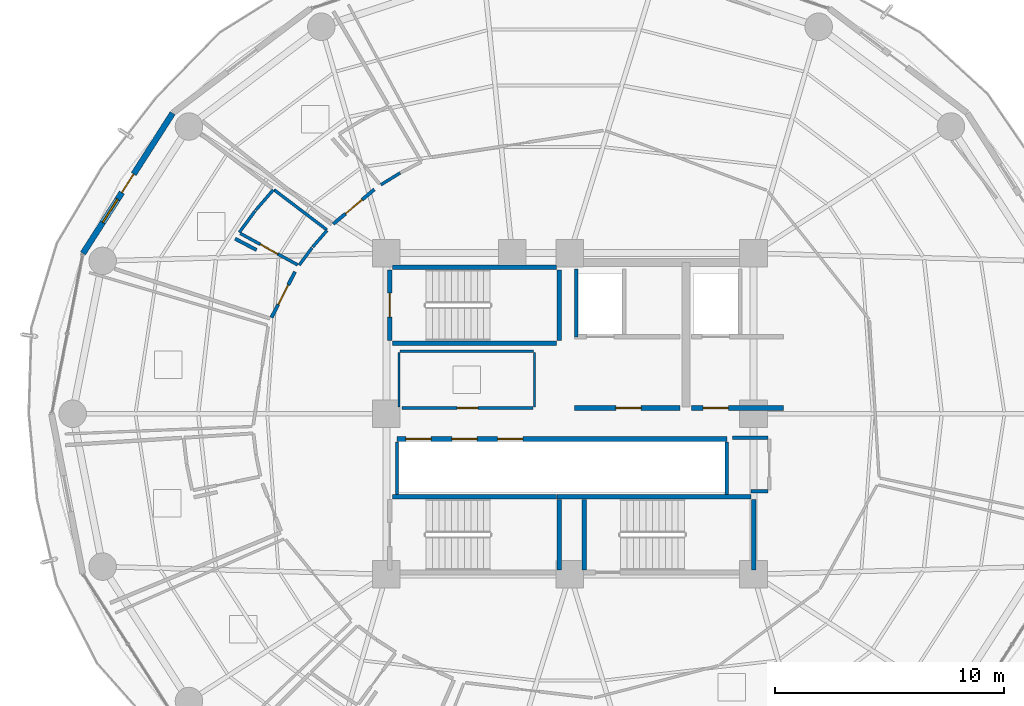
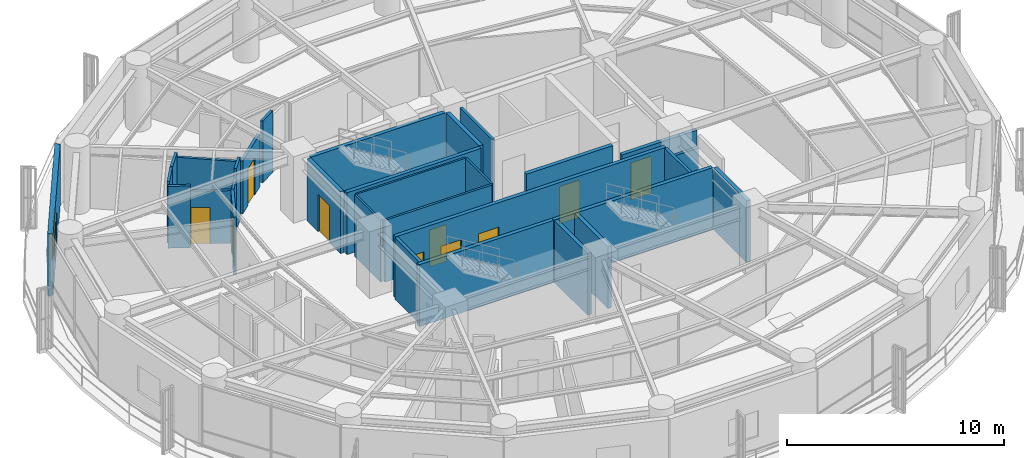
# One storey, part 22 of 27: 32 walls, 11 doors, 1 window, 12 openings.
"""IFC4 building model written with IfcOpenShell, lengths in metres."""

from ifc_helpers import new_model, si_unit, direction, frame, frame_2d, origin, place, context, subcontext, project, spatial, rectangle, extrude, material, layer, layer_set, type_object, element, fill, save


model = new_model("IFC4")

# Units and contexts
model_context = context("Model", 3, precision=1e-05, world=origin(), true_north=direction((0.0, 1.0)))
body_context = subcontext(model_context, "Body", "Model", "MODEL_VIEW")
ifc_project = project(units=[si_unit("LENGTHUNIT", "METRE"), si_unit("AREAUNIT", "SQUARE_METRE"), si_unit("VOLUMEUNIT", "CUBIC_METRE"), si_unit("PLANEANGLEUNIT", "RADIAN"), si_unit("MASSUNIT", "GRAM", prefix="KILO")], contexts=[model_context])

# Site, building, storey
site_placement = place(None, origin())
site = spatial("IfcSite", under=ifc_project, at=site_placement, CompositionType="ELEMENT")
building_placement = place(site_placement, origin())
building = spatial("IfcBuilding", under=site, at=building_placement, Name="Kelanora Arch Commons", CompositionType="ELEMENT")
storey_placement = place(building_placement, frame((0.0, 0.0, 154.35009765625)))
storey = spatial("IfcBuildingStorey", under=building, at=storey_placement, Name="L39", CompositionType="ELEMENT", Elevation=154.35009765625)

# Walls
ifc_material_1 = material(Name="Autoclaved aerated concrete blockwork with fire plaster", Category="masonry")
ifc_layer_1 = layer(ifc_material_1, 0.14990234375)
ifc_layer_set_1 = layer_set([ifc_layer_1], Name="Autoclaved aerated concrete blockwork with fire plaster")
wall_type_1 = type_object("IfcWallType", Name="W-COMP-150", PredefinedType="PARTITIONING", material=ifc_layer_set_1)
wall_1_placement = place(storey_placement, frame((74.280029296875, 61.35009765625, 0.0), z_axis=(0.0, 0.0, 1.0), x_axis=(0.0, 1.0, 0.0)))
element("IfcWall", 1, at=wall_1_placement, inside=storey, type_object=wall_type_1, Name="Firefighting Lift 1 West Shaft Wall L39", PredefinedType="PARTITIONING", context=body_context, shape_type="SweptSolid", body=[
    extrude(rectangle(XDim=2.969970703125, YDim=0.14990234375, at=frame_2d((1.48486328125, 0.0))), origin(), (0.0, 0.0, 1.0), 3.47998046875),
])
for number, where, z_axis, x_axis, name in (
    (2, (66.4599609375, 54.47998046875, 0.0), (0.0, 0.0, 1.0), (0.0, 1.0, 0.0), "South Lift Bank West Wall L39"),
    (3, (80.840087890625, 54.47998046875, 0.0), (0.0, 0.0, 1.0), (0.0, 1.0, 0.0), "South Lift Bank East Wall L39"),
):
    element("IfcWall", number, at=place(storey_placement, frame(where, z_axis=z_axis, x_axis=x_axis)), inside=storey, type_object=wall_type_1, Name=name, PredefinedType="PARTITIONING", context=body_context, shape_type="SweptSolid", body=[
        extrude(rectangle(XDim=2.2900390625, YDim=0.14990234375, at=frame_2d((1.14501953125, 0.0))), origin(), (0.0, 0.0, 1.0), 3.47998046875),
    ])

# Wall, opening, door
wall_2_placement = place(storey_placement, frame((65.47314453125, 67.7802734375, 0.0), z_axis=(0.0, 0.0, 1.0), x_axis=(-0.764572750514, -0.644537438146, 0.0)))
wall_2 = element("IfcWall", 4, at=wall_2_placement, inside=storey, type_object=wall_type_1, Name="Co-Living Studio L39-01 Entry Partition", PredefinedType="PARTITIONING", context=body_context, shape_type="SweptSolid", body=[
    extrude(rectangle(XDim=2.339111328125, YDim=0.14990234375, at=frame_2d((1.16943359375, 0.0))), origin(), (0.0, 0.0, 1.0), 2.974853515625),
])
opening_1_placement = place(wall_2_placement, frame((0.694091796875, 0.0, 0.0)))
opening_1 = element("IfcOpeningElement", 5, at=opening_1_placement, cuts=wall_2, Name="Opening D-CLU1", PredefinedType="OPENING", context=body_context, shape_type="SweptSolid", body=[
    extrude(rectangle(XDim=0.949951171875, YDim=2.080078125, at=frame_2d((0.47509765625, 1.0400390625))), frame((0.0, 0.0849609375, 0.0), z_axis=(0.0, -1.0, 0.0), x_axis=(1.0, 0.0, 0.0)), (0.0, 0.0, 1.0), 0.169921875),
])
ifc_material_2 = material(Name="Solid-core acoustic timber cluster entry fire door", Category="wood")
door_type_1 = type_object("IfcDoorType", Name="D-CLU-95", OperationType="NOTDEFINED", PredefinedType="DOOR", material=ifc_material_2)
door_1_placement = place(opening_1_placement, origin())
door_1 = element("IfcDoor", 6, at=door_1_placement, inside=storey, type_object=door_type_1, Name="Co-Living Studio L39-01 Door", OperationType="SINGLE_SWING_RIGHT", OverallHeight=2.080078125, OverallWidth=0.949951171875, PredefinedType="DOOR", context=body_context, shape_type="SweptSolid", body=[
    extrude(rectangle(XDim=0.949951171875, YDim=2.080078125, at=frame_2d((0.47509765625, 1.0400390625))), frame((0.0, 0.02490234375, 0.0), z_axis=(0.0, -1.0, 0.0), x_axis=(1.0, 0.0, 0.0)), (0.0, 0.0, 1.0), 0.050048828125),
])
fill(opening_1, door_1)

wall_3_placement = place(storey_placement, frame((62.0146484375, 64.191650390625, 0.0), z_axis=(0.0, 0.0, 1.0), x_axis=(-0.457234963971, -0.889345932538, 0.0)))
wall_3 = element("IfcWall", 7, at=wall_3_placement, inside=storey, type_object=wall_type_1, Name="Co-Living Studio L39-02 Entry Partition", PredefinedType="PARTITIONING", context=body_context, shape_type="SweptSolid", body=[
    extrude(rectangle(XDim=2.24462890625, YDim=0.14990234375, at=frame_2d((1.122314453125, 0.0))), origin(), (0.0, 0.0, 1.0), 3.23486328125),
])
opening_2_placement = place(wall_3_placement, frame((0.64697265625, 0.0, 0.0)))
opening_2 = element("IfcOpeningElement", 8, at=opening_2_placement, cuts=wall_3, Name="Opening D-CLU1", PredefinedType="OPENING", context=body_context, shape_type="SweptSolid", body=[
    extrude(rectangle(XDim=0.949951171875, YDim=2.080078125, at=frame_2d((0.47509765625, 1.0400390625))), frame((0.0, 0.0849609375, 0.0), z_axis=(0.0, -1.0, 0.0), x_axis=(1.0, 0.0, 0.0)), (0.0, 0.0, 1.0), 0.169921875),
])
door_2_placement = place(opening_2_placement, origin())
door_2 = element("IfcDoor", 9, at=door_2_placement, inside=storey, type_object=door_type_1, Name="Co-Living Studio L39-02 Door", OperationType="SINGLE_SWING_RIGHT", OverallHeight=2.080078125, OverallWidth=0.949951171875, PredefinedType="DOOR", context=body_context, shape_type="SweptSolid", body=[
    extrude(rectangle(XDim=0.949951171875, YDim=2.080078125, at=frame_2d((0.47509765625, 1.0400390625))), frame((0.0, 0.02490234375, 0.0), z_axis=(0.0, -1.0, 0.0), x_axis=(1.0, 0.0, 0.0)), (0.0, 0.0, 1.0), 0.050048828125),
])
fill(opening_2, door_2)

# Walls
wall_4_placement = place(storey_placement, frame((81.89990234375, 54.6201171875, 0.0), z_axis=(0.0, 0.0, 1.0), x_axis=(1.0, 0.0, 0.0)))
element("IfcWall", 10, at=wall_4_placement, inside=storey, type_object=wall_type_1, Name="Core Housekeeping Store L39 Enclosure Partition 1", PredefinedType="PARTITIONING", context=body_context, shape_type="SweptSolid", body=[
    extrude(rectangle(XDim=0.739990234375, YDim=0.14990234375, at=frame_2d((0.3701171875, 0.0))), origin(), (0.0, 0.0, 1.0), 2.77490234375),
])
wall_5_placement = place(storey_placement, frame((82.639892578125, 56.949951171875, 0.0), z_axis=(0.0, 0.0, 1.0), x_axis=(-1.0, 0.0, 0.0)))
element("IfcWall", 11, at=wall_5_placement, inside=storey, type_object=wall_type_1, Name="Core Housekeeping Store L39 Enclosure Partition 3", PredefinedType="PARTITIONING", context=body_context, shape_type="SweptSolid", body=[
    extrude(rectangle(XDim=1.5498046875, YDim=0.14990234375, at=frame_2d((0.77490234375, 0.0))), origin(), (0.0, 0.0, 1.0), 2.77490234375),
])
wall_6_placement = place(storey_placement, frame((59.40234375, 65.63037109375, 0.0), z_axis=(0.0, 0.0, 1.0), x_axis=(0.885450338388, -0.46473400806, 0.0)))
element("IfcWall", 12, at=wall_6_placement, inside=storey, type_object=wall_type_1, Name="Co-Living Studio L39-02 Enclosure Partition 7", PredefinedType="PARTITIONING", context=body_context, shape_type="SweptSolid", body=[
    extrude(rectangle(XDim=1.0537109375, YDim=0.14990234375, at=frame_2d((0.52685546875, 0.0))), origin(), (0.0, 0.0, 1.0), 3.47998046875),
])

# Wall, openings, door, window
ifc_material_3 = material(Name="Precast concrete C40/50 with terracotta rainscreen", Category="masonry")
ifc_layer_2 = layer(ifc_material_3, 0.260009765625)
ifc_layer_set_2 = layer_set([ifc_layer_2], Name="Precast concrete C40/50 with terracotta rainscreen")
wall_type_2 = type_object("IfcWallType", Name="W-EXT-TC", PredefinedType="SOLIDWALL", material=ifc_layer_set_2)
wall_7_placement = place(storey_placement, frame((56.67919921875, 71.100341796875, 0.0), z_axis=(0.0, 0.0, 1.0), x_axis=(-0.538801521808, -0.842432739213, 0.0)))
wall_7 = element("IfcWall", 13, at=wall_7_placement, inside=storey, type_object=wall_type_2, Name="Terracotta Exterior Wall L39-B07", PredefinedType="SOLIDWALL", context=body_context, shape_type="SweptSolid", body=[
    extrude(rectangle(XDim=7.25341796875, YDim=0.260009765625, at=frame_2d((3.626708984375, 0.0))), origin(), (0.0, 0.0, 1.0), 3.474853515625),
])
opening_3_placement = place(wall_7_placement, frame((3.152099609375, 0.0, 0.0)))
opening_3 = element("IfcOpeningElement", 14, at=opening_3_placement, cuts=wall_7, Name="Opening DB-01", PredefinedType="OPENING", context=body_context, shape_type="SweptSolid", body=[
    extrude(rectangle(XDim=0.949951171875, YDim=2.10009765625, at=frame_2d((0.47509765625, 1.050048828125))), frame((0.0, 0.14013671875, 0.0), z_axis=(0.0, -1.0, 0.0), x_axis=(1.0, 0.0, 0.0)), (0.0, 0.0, 1.0), 0.280029296875),
])
opening_4_placement = place(wall_7_placement, frame((4.451904296875, 0.0, 0.85009765625)))
opening_4 = element("IfcOpeningElement", 15, at=opening_4_placement, cuts=wall_7, Name="Opening WN-02", PredefinedType="OPENING", context=body_context, shape_type="SweptSolid", body=[
    extrude(rectangle(XDim=1.199951171875, YDim=1.449951171875, at=frame_2d((0.60009765625, 0.72509765625))), frame((0.0, 0.14013671875, 0.0), z_axis=(0.0, -1.0, 0.0), x_axis=(1.0, 0.0, 0.0)), (0.0, 0.0, 1.0), 0.280029296875),
])
ifc_material_4 = material(Name="Terracotta-aluminium thermally broken glazed balcony door", Category="masonry")
door_type_2 = type_object("IfcDoorType", Name="D-BAL-10", OperationType="NOTDEFINED", PredefinedType="DOOR", material=ifc_material_4)
door_3_placement = place(opening_3_placement, frame((0.949951171875, 0.0, 0.0), z_axis=(0.0, 0.0, 1.0), x_axis=(-1.0, 0.0, 0.0)))
door_3 = element("IfcDoor", 16, at=door_3_placement, inside=storey, type_object=door_type_2, Name="Wave Balcony Door L39-B07", OperationType="SINGLE_SWING_LEFT", OverallHeight=2.10009765625, OverallWidth=0.949951171875, PredefinedType="DOOR", context=body_context, shape_type="SweptSolid", body=[
    extrude(rectangle(XDim=0.949951171875, YDim=2.10009765625, at=frame_2d((0.47509765625, 1.050048828125))), frame((0.0, 0.02490234375, 0.0), z_axis=(0.0, -1.0, 0.0), x_axis=(1.0, 0.0, 0.0)), (0.0, 0.0, 1.0), 0.050048828125),
])
fill(opening_3, door_3)
ifc_material_5 = material(Name="Terracotta-anodised aluminium frame with operable awning sash", Category="masonry")
window_type = type_object("IfcWindowType", Name="WIN-CL-12", PartitioningType="SINGLE_PANEL", PredefinedType="WINDOW", material=ifc_material_5)
window_placement = place(opening_4_placement, origin())
window = element("IfcWindow", 17, at=window_placement, inside=storey, type_object=window_type, Name="Co-Living Operable Window L39-B07", OverallHeight=1.449951171875, OverallWidth=1.199951171875, PartitioningType="SINGLE_PANEL", PredefinedType="WINDOW", context=body_context, shape_type="SweptSolid", body=[
    extrude(rectangle(XDim=1.199951171875, YDim=1.449951171875, at=frame_2d((0.60009765625, 0.72509765625))), frame((0.0, 0.030029296875, 0.0), z_axis=(0.0, -1.0, 0.0), x_axis=(1.0, 0.0, 0.0)), (0.0, 0.0, 1.0), 0.06005859375),
])
fill(opening_4, window)

# Wall, opening, door
ifc_material_6 = material(Name="Concrete C40/50", Category="concrete")
ifc_layer_3 = layer(ifc_material_6, 0.199951171875)
ifc_layer_set_3 = layer_set([ifc_layer_3], Name="Concrete C40/50")
wall_type_3 = type_object("IfcWallType", Name="W-FFL-200", PredefinedType="SOLIDWALL", material=ifc_layer_set_3)
wall_8_placement = place(storey_placement, frame((74.199951171875, 58.25, 0.0), z_axis=(0.0, 0.0, 1.0), x_axis=(1.0, 0.0, 0.0)))
wall_8 = element("IfcWall", 18, at=wall_8_placement, inside=storey, type_object=wall_type_3, Name="Firefighting Lobby 1 Enclosure Wall L39", PredefinedType="SOLIDWALL", context=body_context, shape_type="SweptSolid", body=[
    extrude(rectangle(XDim=4.60009765625, YDim=0.199951171875, at=frame_2d((2.300048828125, 0.0))), origin(), (0.0, 0.0, 1.0), 3.47998046875),
])
opening_5_placement = place(wall_8_placement, frame((1.800048828125, 0.0, 0.0)))
opening_5 = element("IfcOpeningElement", 19, at=opening_5_placement, cuts=wall_8, Name="Opening D-FFL1", PredefinedType="OPENING", context=body_context, shape_type="SweptSolid", body=[
    extrude(rectangle(XDim=1.10009765625, YDim=2.10009765625, at=frame_2d((0.550048828125, 1.050048828125))), frame((0.0, 0.10986328125, 0.0), z_axis=(0.0, -1.0, 0.0), x_axis=(1.0, 0.0, 0.0)), (0.0, 0.0, 1.0), 0.219970703125),
])
ifc_material_7 = material(Name="Smoke-sealed firefighting lobby fire door")
door_type_3 = type_object("IfcDoorType", Name="D-FFL-110", OperationType="NOTDEFINED", PredefinedType="DOOR", material=ifc_material_7)
door_4_placement = place(opening_5_placement, frame((1.10009765625, 0.0, 0.0), z_axis=(0.0, 0.0, 1.0), x_axis=(-1.0, 0.0, 0.0)))
door_4 = element("IfcDoor", 20, at=door_4_placement, inside=storey, type_object=door_type_3, Name="Firefighting Lobby 1 Door L39", OperationType="SINGLE_SWING_LEFT", OverallHeight=2.10009765625, OverallWidth=1.10009765625, PredefinedType="DOOR", context=body_context, shape_type="SweptSolid", body=[
    extrude(rectangle(XDim=1.10009765625, YDim=2.10009765625, at=frame_2d((0.550048828125, 1.050048828125))), frame((0.0, 0.02490234375, 0.0), z_axis=(0.0, -1.0, 0.0), x_axis=(1.0, 0.0, 0.0)), (0.0, 0.0, 1.0), 0.050048828125),
])
fill(opening_5, door_4)

wall_9_placement = place(storey_placement, frame((79.300048828125, 58.25, 0.0), z_axis=(0.0, 0.0, 1.0), x_axis=(1.0, 0.0, 0.0)))
wall_9 = element("IfcWall", 21, at=wall_9_placement, inside=storey, type_object=wall_type_3, Name="Firefighting Lobby 2 Enclosure Wall L39", PredefinedType="SOLIDWALL", context=body_context, shape_type="SweptSolid", body=[
    extrude(rectangle(XDim=4.0, YDim=0.199951171875, at=frame_2d((2.0, 0.0))), origin(), (0.0, 0.0, 1.0), 2.77490234375),
])
opening_6_placement = place(wall_9_placement, frame((0.5, 0.0, 0.0)))
opening_6 = element("IfcOpeningElement", 22, at=opening_6_placement, cuts=wall_9, Name="Opening D-FFL1", PredefinedType="OPENING", context=body_context, shape_type="SweptSolid", body=[
    extrude(rectangle(XDim=1.10009765625, YDim=2.10009765625, at=frame_2d((0.550048828125, 1.050048828125))), frame((0.0, 0.10986328125, 0.0), z_axis=(0.0, -1.0, 0.0), x_axis=(1.0, 0.0, 0.0)), (0.0, 0.0, 1.0), 0.219970703125),
])
door_5_placement = place(opening_6_placement, frame((1.10009765625, 0.0, 0.0), z_axis=(0.0, 0.0, 1.0), x_axis=(-1.0, 0.0, 0.0)))
door_5 = element("IfcDoor", 23, at=door_5_placement, inside=storey, type_object=door_type_3, Name="Firefighting Lobby 2 Door L39", OperationType="SINGLE_SWING_RIGHT", OverallHeight=2.10009765625, OverallWidth=1.10009765625, PredefinedType="DOOR", context=body_context, shape_type="SweptSolid", body=[
    extrude(rectangle(XDim=1.10009765625, YDim=2.10009765625, at=frame_2d((0.550048828125, 1.050048828125))), frame((0.0, 0.02490234375, 0.0), z_axis=(0.0, -1.0, 0.0), x_axis=(1.0, 0.0, 0.0)), (0.0, 0.0, 1.0), 0.050048828125),
])
fill(opening_6, door_5)

# Wall, openings, doors
wall_10_placement = place(storey_placement, frame((66.449951171875, 56.89990234375, 0.0), z_axis=(0.0, 0.0, 1.0), x_axis=(1.0, 0.0, 0.0)))
wall_10 = element("IfcWall", 24, at=wall_10_placement, inside=storey, type_object=wall_type_3, Name="Mid/High/Express Lift Shaft Front L39", PredefinedType="SOLIDWALL", context=body_context, shape_type="SweptSolid", body=[
    extrude(rectangle(XDim=14.400146484375, YDim=0.199951171875, at=frame_2d((7.2001953125, 0.0))), origin(), (0.0, 0.0, 1.0), 3.47998046875),
])
opening_7_placement = place(wall_10_placement, frame((0.39990234375, 0.0, 0.0)))
opening_7 = element("IfcOpeningElement", 25, at=opening_7_placement, cuts=wall_10, Name="Opening LD-01", PredefinedType="OPENING", context=body_context, shape_type="SweptSolid", body=[
    extrude(rectangle(XDim=1.10009765625, YDim=2.10009765625, at=frame_2d((0.550048828125, 1.050048828125))), frame((0.0, 0.10986328125, 0.0), z_axis=(0.0, -1.0, 0.0), x_axis=(1.0, 0.0, 0.0)), (0.0, 0.0, 1.0), 0.219970703125),
])
opening_8_placement = place(wall_10_placement, frame((2.39990234375, 0.0, 0.0)))
opening_8 = element("IfcOpeningElement", 26, at=opening_8_placement, cuts=wall_10, Name="Opening LD-01", PredefinedType="OPENING", context=body_context, shape_type="SweptSolid", body=[
    extrude(rectangle(XDim=1.10009765625, YDim=2.10009765625, at=frame_2d((0.550048828125, 1.050048828125))), frame((0.0, 0.10986328125, 0.0), z_axis=(0.0, -1.0, 0.0), x_axis=(1.0, 0.0, 0.0)), (0.0, 0.0, 1.0), 0.219970703125),
])
opening_9_placement = place(wall_10_placement, frame((4.39990234375, 0.0, 0.0)))
opening_9 = element("IfcOpeningElement", 27, at=opening_9_placement, cuts=wall_10, Name="Opening LD-01", PredefinedType="OPENING", context=body_context, shape_type="SweptSolid", body=[
    extrude(rectangle(XDim=1.10009765625, YDim=2.10009765625, at=frame_2d((0.550048828125, 1.050048828125))), frame((0.0, 0.10986328125, 0.0), z_axis=(0.0, -1.0, 0.0), x_axis=(1.0, 0.0, 0.0)), (0.0, 0.0, 1.0), 0.219970703125),
])
ifc_material_8 = material(Name="Stainless steel passenger lift sliding landing door", Category="steel")
door_type_4 = type_object("IfcDoorType", Name="D-LIFT-110", OperationType="NOTDEFINED", PredefinedType="DOOR", material=ifc_material_8)
door_6_placement = place(opening_7_placement, origin())
door_6 = element("IfcDoor", 28, at=door_6_placement, inside=storey, type_object=door_type_4, Name="Passenger Lift LF-P4 Landing Door L39", OperationType="DOUBLE_DOOR_SLIDING", OverallHeight=2.10009765625, OverallWidth=1.10009765625, PredefinedType="DOOR", context=body_context, shape_type="SweptSolid", body=[
    extrude(rectangle(XDim=1.10009765625, YDim=2.10009765625, at=frame_2d((0.550048828125, 1.050048828125))), frame((0.0, 0.02490234375, 0.0), z_axis=(0.0, -1.0, 0.0), x_axis=(1.0, 0.0, 0.0)), (0.0, 0.0, 1.0), 0.050048828125),
])
fill(opening_7, door_6)
door_7_placement = place(opening_8_placement, origin())
door_7 = element("IfcDoor", 29, at=door_7_placement, inside=storey, type_object=door_type_4, Name="Passenger Lift LF-P5 Landing Door L39", OperationType="DOUBLE_DOOR_SLIDING", OverallHeight=2.10009765625, OverallWidth=1.10009765625, PredefinedType="DOOR", context=body_context, shape_type="SweptSolid", body=[
    extrude(rectangle(XDim=1.10009765625, YDim=2.10009765625, at=frame_2d((0.550048828125, 1.050048828125))), frame((0.0, 0.02490234375, 0.0), z_axis=(0.0, -1.0, 0.0), x_axis=(1.0, 0.0, 0.0)), (0.0, 0.0, 1.0), 0.050048828125),
])
fill(opening_8, door_7)
door_8_placement = place(opening_9_placement, origin())
door_8 = element("IfcDoor", 30, at=door_8_placement, inside=storey, type_object=door_type_4, Name="Passenger Lift LF-P6 Landing Door L39", OperationType="DOUBLE_DOOR_SLIDING", OverallHeight=2.10009765625, OverallWidth=1.10009765625, PredefinedType="DOOR", context=body_context, shape_type="SweptSolid", body=[
    extrude(rectangle(XDim=1.10009765625, YDim=2.10009765625, at=frame_2d((0.550048828125, 1.050048828125))), frame((0.0, 0.02490234375, 0.0), z_axis=(0.0, -1.0, 0.0), x_axis=(1.0, 0.0, 0.0)), (0.0, 0.0, 1.0), 0.050048828125),
])
fill(opening_9, door_8)

# Walls
ifc_material_9 = material(Name="Lightweight fire-rated acoustic stud partition")
ifc_layer_4 = layer(ifc_material_9, 0.10009765625)
ifc_layer_set_4 = layer_set([ifc_layer_4], Name="Lightweight fire-rated acoustic stud partition")
wall_type_4 = type_object("IfcWallType", Name="W-PART-100", PredefinedType="PARTITIONING", material=ifc_layer_set_4)
wall_11_placement = place(storey_placement, frame((72.449951171875, 58.2900390625, 0.0), z_axis=(0.0, 0.0, 1.0), x_axis=(0.0, 1.0, 0.0)))
element("IfcWall", 31, at=wall_11_placement, inside=storey, type_object=wall_type_4, Name="Reclaimed Core Study Pod Lounge L39 Enclosure Partition 2", PredefinedType="PARTITIONING", context=body_context, shape_type="SweptSolid", body=[
    extrude(rectangle(XDim=2.389892578125, YDim=0.10009765625, at=frame_2d((1.19482421875, 0.0))), origin(), (0.0, 0.0, 1.0), 3.47998046875),
])
wall_12_placement = place(storey_placement, frame((72.409912109375, 60.719970703125, 0.0), z_axis=(0.0, 0.0, 1.0), x_axis=(-1.0, 0.0, 0.0)))
element("IfcWall", 32, at=wall_12_placement, inside=storey, type_object=wall_type_4, Name="Reclaimed Core Study Pod Lounge L39 Enclosure Partition 3", PredefinedType="PARTITIONING", context=body_context, shape_type="SweptSolid", body=[
    extrude(rectangle(XDim=5.81982421875, YDim=0.10009765625, at=frame_2d((2.909912109375, 0.0))), origin(), (0.0, 0.0, 1.0), 3.47998046875),
])
wall_13_placement = place(storey_placement, frame((66.550048828125, 60.679931640625, 0.0), z_axis=(0.0, 0.0, 1.0), x_axis=(0.0, -1.0, 0.0)))
element("IfcWall", 33, at=wall_13_placement, inside=storey, type_object=wall_type_4, Name="Reclaimed Core Study Pod Lounge L39 Enclosure Partition 4", PredefinedType="PARTITIONING", context=body_context, shape_type="SweptSolid", body=[
    extrude(rectangle(XDim=2.383056640625, YDim=0.10009765625, at=frame_2d((1.19140625, 0.0))), origin(), (0.0, 0.0, 1.0), 3.47998046875),
])

# Wall, opening, door
ifc_material_10 = material(Name="Acoustic twin-stud fire-rated gypsum partition")
ifc_layer_5 = layer(ifc_material_10, 0.1201171875)
ifc_layer_set_5 = layer_set([ifc_layer_5], Name="Acoustic twin-stud fire-rated gypsum partition")
wall_type_5 = type_object("IfcWallType", Name="W-PART-120", PredefinedType="PARTITIONING", material=ifc_layer_set_5)
wall_14_placement = place(storey_placement, frame((66.67529296875, 58.25, 0.0), z_axis=(0.0, 0.0, 1.0), x_axis=(1.0, 0.0, 0.0)))
wall_14 = element("IfcWall", 34, at=wall_14_placement, inside=storey, type_object=wall_type_5, Name="Reclaimed Core Study Pod Lounge L39 Entry Partition", PredefinedType="PARTITIONING", context=body_context, shape_type="SweptSolid", body=[
    extrude(rectangle(XDim=5.714599609375, YDim=0.1201171875, at=frame_2d((2.857421875, 0.0))), origin(), (0.0, 0.0, 1.0), 3.47998046875),
])
opening_10_placement = place(wall_14_placement, frame((2.406982421875, 0.0, 0.0)))
opening_10 = element("IfcOpeningElement", 35, at=opening_10_placement, cuts=wall_14, Name="Opening D-RM1", PredefinedType="OPENING", context=body_context, shape_type="SweptSolid", body=[
    extrude(rectangle(XDim=0.89990234375, YDim=2.080078125, at=frame_2d((0.449951171875, 1.0400390625))), frame((0.0, 0.070068359375, 0.0), z_axis=(0.0, -1.0, 0.0), x_axis=(1.0, 0.0, 0.0)), (0.0, 0.0, 1.0), 0.14013671875),
])
ifc_material_11 = material(Name="Acoustic fire-rated timber study and lounge door", Category="wood")
door_type_5 = type_object("IfcDoorType", Name="D-ROOM-90", OperationType="NOTDEFINED", PredefinedType="DOOR", material=ifc_material_11)
door_9_placement = place(opening_10_placement, origin())
door_9 = element("IfcDoor", 36, at=door_9_placement, inside=storey, type_object=door_type_5, Name="Reclaimed Core Study Pod Lounge L39 Door", OperationType="SINGLE_SWING_RIGHT", OverallHeight=2.080078125, OverallWidth=0.89990234375, PredefinedType="DOOR", context=body_context, shape_type="SweptSolid", body=[
    extrude(rectangle(XDim=0.89990234375, YDim=2.080078125, at=frame_2d((0.449951171875, 1.0400390625))), frame((0.0, 0.02490234375, 0.0), z_axis=(0.0, -1.0, 0.0), x_axis=(1.0, 0.0, 0.0)), (0.0, 0.0, 1.0), 0.050048828125),
])
fill(opening_10, door_9)

# Walls
ifc_layer_6 = layer(ifc_material_6, 0.199951171875)
ifc_layer_set_6 = layer_set([ifc_layer_6], Name="Concrete C40/50")
wall_type_6 = type_object("IfcWallType", Name="W-STAIR-200", PredefinedType="SHEAR", material=ifc_layer_set_6)
wall_15_placement = place(storey_placement, frame((66.260009765625, 61.080078125, 0.0), z_axis=(0.0, 0.0, 1.0), x_axis=(1.0, 0.0, 0.0)))
element("IfcWall", 37, at=wall_15_placement, inside=storey, type_object=wall_type_6, Name="Stair ST-T1 Shaft Wall S L39", PredefinedType="SHEAR", context=body_context, shape_type="SweptSolid", body=[
    extrude(rectangle(XDim=7.159912109375, YDim=0.199951171875, at=frame_2d((3.580078125, 0.0))), origin(), (0.0, 0.0, 1.0), 3.489990234375),
])
wall_16_placement = place(storey_placement, frame((73.5400390625, 61.199951171875, 0.0), z_axis=(0.0, 0.0, 1.0), x_axis=(0.0, 1.0, 0.0)))
element("IfcWall", 38, at=wall_16_placement, inside=storey, type_object=wall_type_6, Name="Stair ST-T1 Shaft Wall E L39", PredefinedType="SHEAR", context=body_context, shape_type="SweptSolid", body=[
    extrude(rectangle(XDim=3.070068359375, YDim=0.199951171875, at=frame_2d((1.53515625, 0.0))), origin(), (0.0, 0.0, 1.0), 3.489990234375),
])
wall_17_placement = place(storey_placement, frame((73.419921875, 64.389892578125, 0.0), z_axis=(0.0, 0.0, 1.0), x_axis=(-1.0, 0.0, 0.0)))
element("IfcWall", 39, at=wall_17_placement, inside=storey, type_object=wall_type_6, Name="Stair ST-T1 Shaft Wall N L39", PredefinedType="SHEAR", context=body_context, shape_type="SweptSolid", body=[
    extrude(rectangle(XDim=7.159912109375, YDim=0.199951171875, at=frame_2d((3.580078125, 0.0))), origin(), (0.0, 0.0, 1.0), 3.489990234375),
])

# Wall, opening, door
wall_18_placement = place(storey_placement, frame((66.139892578125, 64.27001953125, 0.0), z_axis=(0.0, 0.0, 1.0), x_axis=(0.0, -1.0, 0.0)))
wall_18 = element("IfcWall", 40, at=wall_18_placement, inside=storey, type_object=wall_type_6, Name="Stair ST-T1 Shaft Wall W L39", PredefinedType="SHEAR", context=body_context, shape_type="SweptSolid", body=[
    extrude(rectangle(XDim=3.070068359375, YDim=0.199951171875, at=frame_2d((1.53515625, 0.0))), origin(), (0.0, 0.0, 1.0), 3.489990234375),
])
opening_11_placement = place(wall_18_placement, frame((1.010009765625, 0.0, 0.0)))
opening_11 = element("IfcOpeningElement", 41, at=opening_11_placement, cuts=wall_18, Name="Opening D-ST1", PredefinedType="OPENING", context=body_context, shape_type="SweptSolid", body=[
    extrude(rectangle(XDim=1.050048828125, YDim=2.10009765625, at=frame_2d((0.52490234375, 1.050048828125))), frame((0.0, 0.10986328125, 0.0), z_axis=(0.0, -1.0, 0.0), x_axis=(1.0, 0.0, 0.0)), (0.0, 0.0, 1.0), 0.219970703125),
])
ifc_material_12 = material(Name="Steel fire-rated stairwell escape door", Category="steel")
door_type_6 = type_object("IfcDoorType", Name="D-STAIR-110", OperationType="NOTDEFINED", PredefinedType="DOOR", material=ifc_material_12)
door_10_placement = place(opening_11_placement, origin())
door_10 = element("IfcDoor", 42, at=door_10_placement, inside=storey, type_object=door_type_6, Name="Stair ST-T1 Escape Door L39", OperationType="SINGLE_SWING_LEFT", OverallHeight=2.10009765625, OverallWidth=1.050048828125, PredefinedType="DOOR", context=body_context, shape_type="SweptSolid", body=[
    extrude(rectangle(XDim=1.050048828125, YDim=2.10009765625, at=frame_2d((0.52490234375, 1.050048828125))), frame((0.0, 0.02490234375, 0.0), z_axis=(0.0, -1.0, 0.0), x_axis=(1.0, 0.0, 0.0)), (0.0, 0.0, 1.0), 0.050048828125),
])
fill(opening_11, door_10)

# Walls
wall_19_placement = place(storey_placement, frame((82.02001953125, 51.199951171875, 0.0), z_axis=(0.0, 0.0, 1.0), x_axis=(0.0, 1.0, 0.0)))
element("IfcWall", 43, at=wall_19_placement, inside=storey, type_object=wall_type_6, Name="Stair ST-T2 Shaft Wall E L39", PredefinedType="SHEAR", context=body_context, shape_type="SweptSolid", body=[
    extrude(rectangle(XDim=3.070068359375, YDim=0.199951171875, at=frame_2d((1.53515625, 0.0))), origin(), (0.0, 0.0, 1.0), 3.489990234375),
])
wall_20_placement = place(storey_placement, frame((81.89990234375, 54.389892578125, 0.0), z_axis=(0.0, 0.0, 1.0), x_axis=(-1.0, 0.0, 0.0)))
element("IfcWall", 44, at=wall_20_placement, inside=storey, type_object=wall_type_6, Name="Stair ST-T2 Shaft Wall N L39", PredefinedType="SHEAR", context=body_context, shape_type="SweptSolid", body=[
    extrude(rectangle(XDim=8.4599609375, YDim=0.199951171875, at=frame_2d((4.22998046875, 0.0))), origin(), (0.0, 0.0, 1.0), 3.489990234375),
])
for number, where, z_axis, x_axis, name in (
    (45, (74.6201171875, 54.27001953125, 0.0), (0.0, 0.0, 1.0), (0.0, -1.0, 0.0), "Stair ST-T2 Shaft Wall W L39"),
    (46, (73.5400390625, 51.199951171875, 0.0), (0.0, 0.0, 1.0), (0.0, 1.0, 0.0), "Stair ST-T3 Shaft Wall E L39"),
):
    element("IfcWall", number, at=place(storey_placement, frame(where, z_axis=z_axis, x_axis=x_axis)), inside=storey, type_object=wall_type_6, Name=name, PredefinedType="SHEAR", context=body_context, shape_type="SweptSolid", body=[
        extrude(rectangle(XDim=3.070068359375, YDim=0.199951171875, at=frame_2d((1.53515625, 0.0))), origin(), (0.0, 0.0, 1.0), 3.489990234375),
    ])
wall_21_placement = place(storey_placement, frame((73.419921875, 54.389892578125, 0.0), z_axis=(0.0, 0.0, 1.0), x_axis=(-1.0, 0.0, 0.0)))
element("IfcWall", 47, at=wall_21_placement, inside=storey, type_object=wall_type_6, Name="Stair ST-T3 Shaft Wall N L39", PredefinedType="SHEAR", context=body_context, shape_type="SweptSolid", body=[
    extrude(rectangle(XDim=7.159912109375, YDim=0.199951171875, at=frame_2d((3.580078125, 0.0))), origin(), (0.0, 0.0, 1.0), 3.489990234375),
])

# Wall, opening, door
ifc_material_13 = material(Name="Moisture-resistant fire-rated cement-board plumbing wall")
ifc_layer_7 = layer(ifc_material_13, 0.1298828125)
ifc_layer_set_7 = layer_set([ifc_layer_7], Name="Moisture-resistant fire-rated cement-board plumbing wall")
wall_type_7 = type_object("IfcWallType", Name="W-WET-120", PredefinedType="PLUMBINGWALL", material=ifc_layer_set_7)
wall_22_placement = place(storey_placement, frame((62.13134765625, 64.489013671875, 0.0), z_axis=(0.0, 0.0, 1.0), x_axis=(-0.87680194327, 0.480851694681, 0.0)))
wall_22 = element("IfcWall", 48, at=wall_22_placement, inside=storey, type_object=wall_type_7, Name="En-Suite Shower WC L39-02 Entry Partition", PredefinedType="PLUMBINGWALL", context=body_context, shape_type="SweptSolid", body=[
    extrude(rectangle(XDim=2.85546875, YDim=0.1298828125, at=frame_2d((1.427734375, 0.0))), origin(), (0.0, 0.0, 1.0), 2.974853515625),
])
opening_12_placement = place(wall_22_placement, frame((0.998046875, 0.0, 0.0)))
opening_12 = element("IfcOpeningElement", 49, at=opening_12_placement, cuts=wall_22, Name="Opening D-BT1", PredefinedType="OPENING", context=body_context, shape_type="SweptSolid", body=[
    extrude(rectangle(XDim=0.860107421875, YDim=2.050048828125, at=frame_2d((0.43017578125, 1.02490234375))), frame((0.0, 0.074951171875, 0.0), z_axis=(0.0, -1.0, 0.0), x_axis=(1.0, 0.0, 0.0)), (0.0, 0.0, 1.0), 0.14990234375),
])
ifc_material_14 = material(Name="Moisture-sealed fire-rated accessible bathroom door")
door_type_7 = type_object("IfcDoorType", Name="D-BATH-85", OperationType="NOTDEFINED", PredefinedType="DOOR", material=ifc_material_14)
door_11_placement = place(opening_12_placement, origin())
door_11 = element("IfcDoor", 50, at=door_11_placement, inside=storey, type_object=door_type_7, Name="En-Suite Shower WC L39-02 Door", OperationType="SINGLE_SWING_LEFT", OverallHeight=2.050048828125, OverallWidth=0.860107421875, PredefinedType="DOOR", context=body_context, shape_type="SweptSolid", body=[
    extrude(rectangle(XDim=0.860107421875, YDim=2.050048828125, at=frame_2d((0.43017578125, 1.02490234375))), frame((0.0, 0.02490234375, 0.0), z_axis=(0.0, -1.0, 0.0), x_axis=(1.0, 0.0, 0.0)), (0.0, 0.0, 1.0), 0.050048828125),
])
fill(opening_12, door_11)

# Walls
wall_23_placement = place(storey_placement, frame((66.595947265625, 68.49755859375, 0.0), z_axis=(0.0, 0.0, 1.0), x_axis=(-0.851266784219, -0.52473313416, 0.0)))
element("IfcWall", 51, at=wall_23_placement, inside=storey, type_object=wall_type_7, Name="En-Suite Shower WC L39-01 Enclosure Partition 2", PredefinedType="PLUMBINGWALL", context=body_context, shape_type="SweptSolid", body=[
    extrude(rectangle(XDim=0.9853515625, YDim=0.1298828125, at=frame_2d((0.49267578125, 0.0))), origin(), (0.0, 0.0, 1.0), 3.47998046875),
])
wall_24_placement = place(storey_placement, frame((63.406005859375, 65.989013671875, 0.0), z_axis=(0.0, 0.0, 1.0), x_axis=(-0.654452758924, -0.756102894015, 0.0)))
element("IfcWall", 52, at=wall_24_placement, inside=storey, type_object=wall_type_7, Name="En-Suite Shower WC L39-02 Enclosure Partition 1", PredefinedType="PLUMBINGWALL", context=body_context, shape_type="SweptSolid", body=[
    extrude(rectangle(XDim=0.95361328125, YDim=0.1298828125, at=frame_2d((0.476806640625, 0.0))), origin(), (0.0, 0.0, 1.0), 3.47998046875),
])
wall_25_placement = place(storey_placement, frame((62.757080078125, 65.23681640625, 0.0), z_axis=(0.0, 0.0, 1.0), x_axis=(-0.593701036402, -0.804685702231, 0.0)))
element("IfcWall", 53, at=wall_25_placement, inside=storey, type_object=wall_type_7, Name="En-Suite Shower WC L39-02 Enclosure Partition 2", PredefinedType="PLUMBINGWALL", context=body_context, shape_type="SweptSolid", body=[
    extrude(rectangle(XDim=0.9453125, YDim=0.1298828125, at=frame_2d((0.47265625, 0.0))), origin(), (0.0, 0.0, 1.0), 2.974853515625),
])
wall_26_placement = place(storey_placement, frame((59.5869140625, 65.906982421875, 0.0), z_axis=(0.0, 0.0, 1.0), x_axis=(0.592518663081, 0.805556722956, 0.0)))
element("IfcWall", 54, at=wall_26_placement, inside=storey, type_object=wall_type_7, Name="En-Suite Shower WC L39-02 Enclosure Partition 4", PredefinedType="PLUMBINGWALL", context=body_context, shape_type="SweptSolid", body=[
    extrude(rectangle(XDim=1.1630859375, YDim=0.1298828125, at=frame_2d((0.58154296875, 0.0))), origin(), (0.0, 0.0, 1.0), 3.47998046875),
])
wall_27_placement = place(storey_placement, frame((60.301025390625, 66.875, 0.0), z_axis=(0.0, 0.0, 1.0), x_axis=(0.654502595292, 0.756059754752, 0.0)))
element("IfcWall", 55, at=wall_27_placement, inside=storey, type_object=wall_type_7, Name="En-Suite Shower WC L39-02 Enclosure Partition 5", PredefinedType="PLUMBINGWALL", context=body_context, shape_type="SweptSolid", body=[
    extrude(rectangle(XDim=1.173095703125, YDim=0.1298828125, at=frame_2d((0.58642578125, 0.0))), origin(), (0.0, 0.0, 1.0), 3.47998046875),
])
wall_28_placement = place(storey_placement, frame((61.097900390625, 67.764892578125, 0.0), z_axis=(0.0, 0.0, 1.0), x_axis=(0.796687067956, -0.604392021581, 0.0)))
element("IfcWall", 56, at=wall_28_placement, inside=storey, type_object=wall_type_7, Name="En-Suite Shower WC L39-02 Enclosure Partition 6", PredefinedType="PLUMBINGWALL", context=body_context, shape_type="SweptSolid", body=[
    extrude(rectangle(XDim=2.8935546875, YDim=0.1298828125, at=frame_2d((1.44677734375, 0.0))), origin(), (0.0, 0.0, 1.0), 3.23486328125),
])

save(model, "model.ifc")
